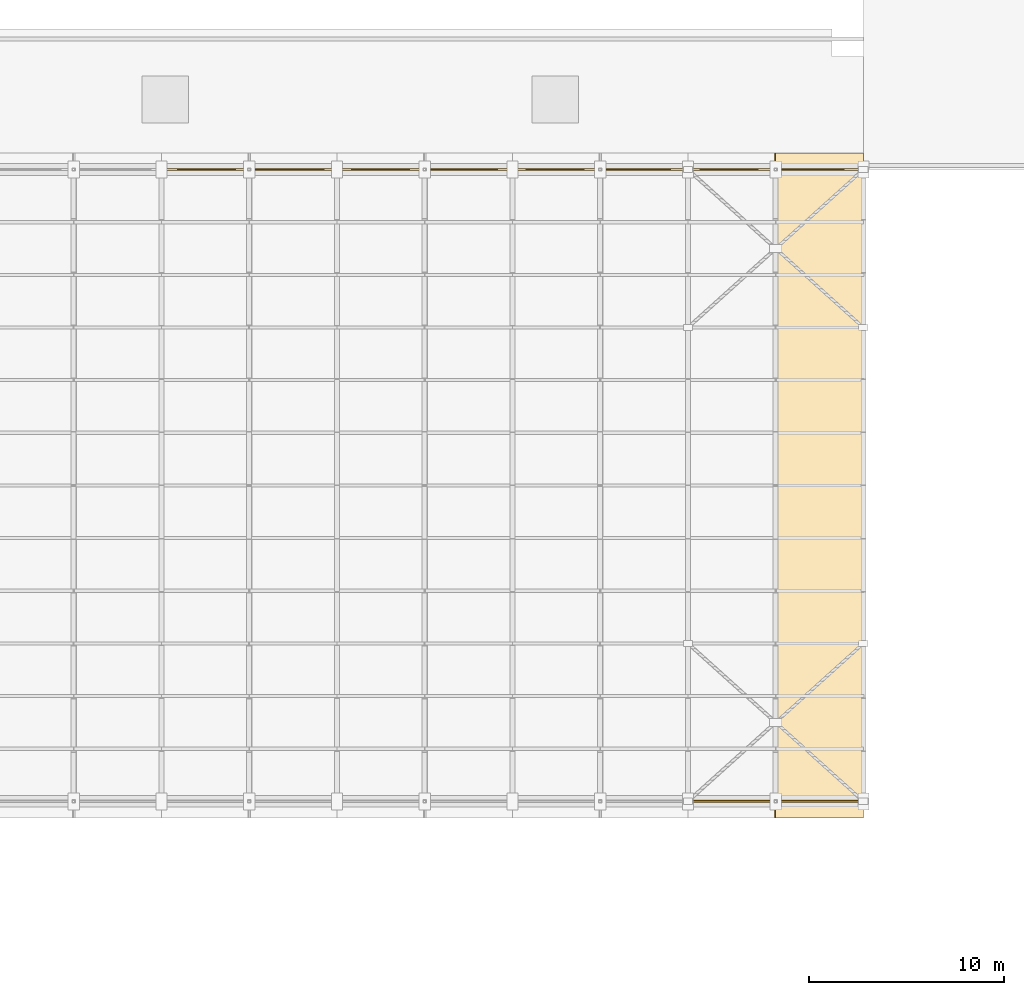
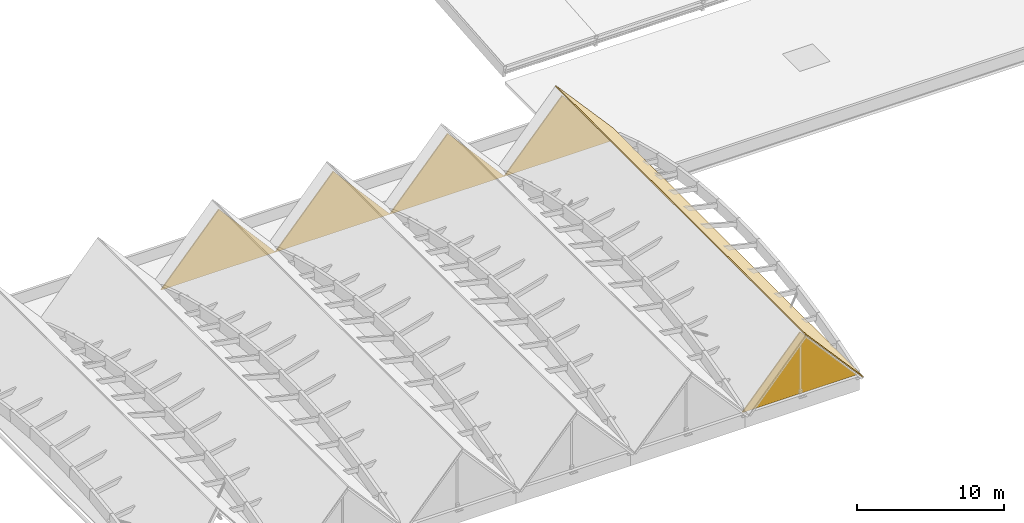
# One storey, part 39 of 39: 6 coverings.
"""IFC4 building model written with IfcOpenShell, lengths in metres."""

from ifc_helpers import new_model, si_unit, direction, frame, origin, place, context, subcontext, project, spatial, polyline, outline, extrude, material, layer, layer_set, type_object, element, save


model = new_model("IFC4")

# Units and contexts
model_context = context("Model", 3, precision=1e-05, world=origin(), true_north=direction((0.0, 1.0)))
body_context = subcontext(model_context, "Body", "Model", "MODEL_VIEW")
ifc_project = project(units=[si_unit("LENGTHUNIT", "METRE"), si_unit("AREAUNIT", "SQUARE_METRE"), si_unit("VOLUMEUNIT", "CUBIC_METRE"), si_unit("PLANEANGLEUNIT", "RADIAN"), si_unit("MASSUNIT", "GRAM", prefix="KILO")], contexts=[model_context])

# Site, building, storey
site_placement = place(None, origin())
site = spatial("IfcSite", under=ifc_project, at=site_placement, CompositionType="ELEMENT")
building_placement = place(site_placement, origin())
building = spatial("IfcBuilding", under=site, at=building_placement, Name="Tizgana Railside Sports Hall", CompositionType="ELEMENT")
storey_placement = place(building_placement, frame((0.0, 0.0, 23.699951171875)))
storey = spatial("IfcBuildingStorey", under=building, at=storey_placement, Name="RF", CompositionType="ELEMENT", Elevation=23.699951171875)

# Coverings
ifc_material_1 = material(Name="Anodised perforated aluminium screen", Category="aluminium")
ifc_layer_1 = layer(ifc_material_1, 0.044921875, Name="Anodised perforated aluminium screen")
ifc_layer_set_1 = layer_set([ifc_layer_1], Name="Anodised perforated aluminium screen")
covering_type_1 = type_object("IfcCoveringType", Name="Perforated Aluminium Hall Screen 900", PredefinedType="CLADDING", material=ifc_layer_set_1)
for number, where, z_axis, x_axis, name in (
    (1, (97.7548828125, 73.199951171875, -2.719970703125), (0.0, 0.0, 1.0), (1.0, 0.0, 0.0), "RF Zigzag Gable Screen ZIG-0020"),
    (2, (106.7548828125, 73.199951171875, -2.719970703125), (0.0, 0.0, 1.0), (1.0, 0.0, 0.0), "RF Zigzag Gable Screen ZIG-0022"),
    (3, (115.7548828125, 73.199951171875, -2.719970703125), (0.0, 0.0, 1.0), (1.0, 0.0, 0.0), "RF Zigzag Gable Screen ZIG-0024"),
):
    element("IfcCovering", number, at=place(storey_placement, frame(where, z_axis=z_axis, x_axis=x_axis)), inside=storey, type_object=covering_type_1, Name=name, PredefinedType="CLADDING", context=body_context, shape_type="SweptSolid", body=[
        extrude(outline(polyline([(0.0, 0.0), (8.9951171875, 0.0), (8.9951171875, 0.02001953125), (4.544921875, 5.1201171875), (0.0, 0.02001953125), (0.0, 0.0)])), frame((0.0, 0.044921875, 0.0), z_axis=(0.0, -1.0, 0.0), x_axis=(1.0, 0.0, 0.0)), (0.0, 0.0, 1.0), 0.090087890625),
    ])
covering_1_placement = place(storey_placement, frame((133.75, 40.800048828125, -2.719970703125), z_axis=(0.0, 0.0, 1.0), x_axis=(-1.0, 0.0, 0.0)))
element("IfcCovering", 4, at=covering_1_placement, inside=storey, type_object=covering_type_1, Name="RF Zigzag Gable Screen ZIG-0025", PredefinedType="CLADDING", context=body_context, shape_type="SweptSolid", body=[
    extrude(outline(polyline([(0.0, 0.0), (8.9951171875, 0.0), (8.9951171875, 0.02001953125), (4.449951171875, 5.1201171875), (0.0, 0.02001953125), (0.0, 0.0)])), frame((0.0, 0.044921875, 0.0), z_axis=(0.0, -1.0, 0.0), x_axis=(1.0, 0.0, 0.0)), (0.0, 0.0, 1.0), 0.090087890625),
])
covering_2_placement = place(storey_placement, frame((124.7548828125, 73.199951171875, -2.719970703125), z_axis=(0.0, 0.0, 1.0), x_axis=(1.0, 0.0, 0.0)))
element("IfcCovering", 5, at=covering_2_placement, inside=storey, type_object=covering_type_1, Name="RF Zigzag Gable Screen ZIG-0026", PredefinedType="CLADDING", context=body_context, shape_type="SweptSolid", body=[
    extrude(outline(polyline([(0.0, 0.0), (8.9951171875, 0.0), (8.9951171875, 0.02001953125), (4.544921875, 5.1201171875), (0.0, 0.02001953125), (0.0, 0.0)])), frame((0.0, 0.044921875, 0.0), z_axis=(0.0, -1.0, 0.0), x_axis=(1.0, 0.0, 0.0)), (0.0, 0.0, 1.0), 0.090087890625),
])
ifc_material_2 = material(Name="Anodised aluminium roofing", Category="aluminium")
ifc_layer_2 = layer(ifc_material_2, 0.080078125, Name="Anodised aluminium roofing")
ifc_layer_set_2 = layer_set([ifc_layer_2], Name="Anodised aluminium roofing")
covering_type_2 = type_object("IfcCoveringType", Name="Standing-Seam Insulated Vault Roofing", PredefinedType="ROOFING", material=ifc_layer_set_2)
covering_3_placement = place(storey_placement, frame((129.300048828125, 39.949951171875, 2.705078125), z_axis=(0.749844140428, 0.0, 0.661614513948), x_axis=(0.661614513948, 0.0, -0.749844140428)))
element("IfcCovering", 6, at=covering_3_placement, inside=storey, type_object=covering_type_2, Name="RF V2 Roofing 6E", PredefinedType="ROOFING", context=body_context, shape_type="SweptSolid", body=[
    extrude(outline(polyline([(0.0, 0.0), (6.801543655912733, 0.0), (6.801543655912733, 34.10009765625), (0.0, 34.10009765625), (0.0, 0.0)])), origin(), (0.0, 0.0, -1.0), 0.080078125),
])

save(model, "model.ifc")
